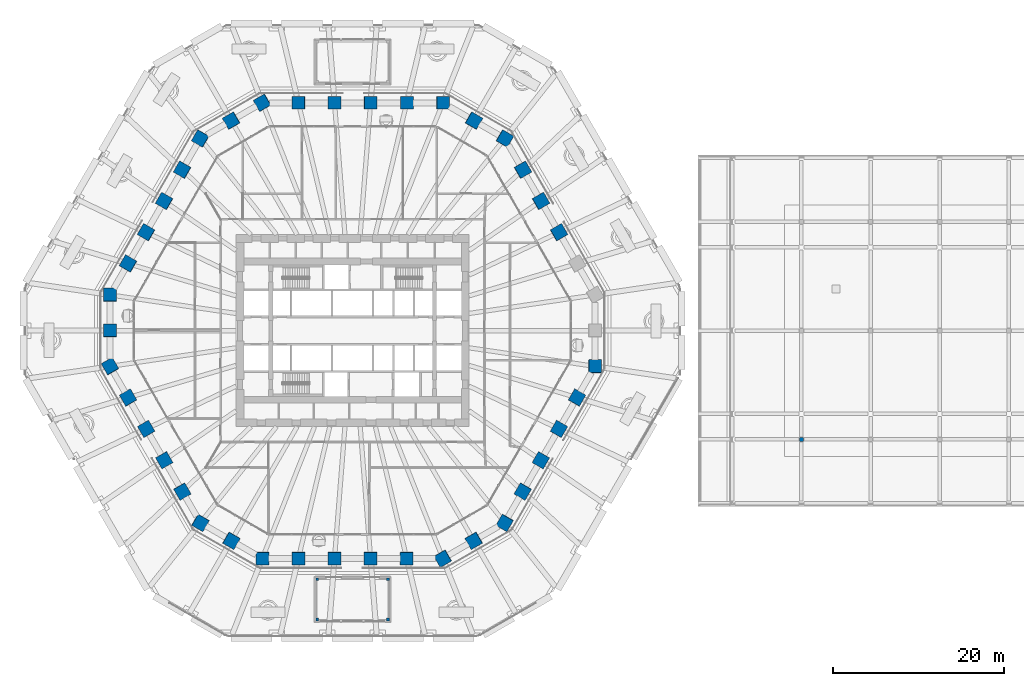
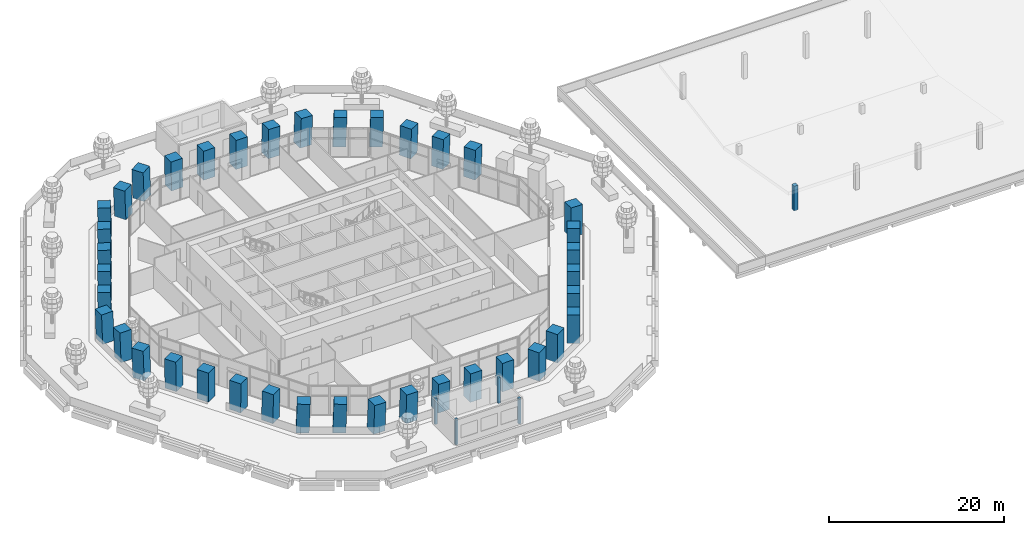
# One storey, part 1 of 32: 44 columns.
"""IFC4 building model written with IfcOpenShell, lengths in metres."""

from ifc_helpers import new_model, si_unit, direction, frame, origin, origin_2d, place, context, subcontext, project, spatial, rectangle, extrude, material, material_profile, profile_set, type_object, element, save


model = new_model("IFC4")

# Units and contexts
model_context = context("Model", 3, precision=1e-05, world=origin(), true_north=direction((0.0, 1.0)))
body_context = subcontext(model_context, "Body", "Model", "MODEL_VIEW")
ifc_project = project(units=[si_unit("LENGTHUNIT", "METRE"), si_unit("AREAUNIT", "SQUARE_METRE"), si_unit("VOLUMEUNIT", "CUBIC_METRE"), si_unit("PLANEANGLEUNIT", "RADIAN"), si_unit("MASSUNIT", "GRAM", prefix="KILO")], contexts=[model_context])

# Site, building, storey
site_placement = place(None, origin())
site = spatial("IfcSite", under=ifc_project, at=site_placement, CompositionType="ELEMENT")
building_placement = place(site_placement, origin())
building = spatial("IfcBuilding", under=site, at=building_placement, Name="Frailejon Research Tower", CompositionType="ELEMENT")
storey_placement = place(building_placement, frame((0.0, 0.0, 14.60009765625)))
storey = spatial("IfcBuildingStorey", under=building, at=storey_placement, Name="L03", CompositionType="ELEMENT", Elevation=14.60009765625)

# Columns
ifc_material_1 = material(Name="Concrete C70/85", Category="concrete")
ifc_material_profile_1 = material_profile(ifc_material_1, rectangle(XDim=1.5, YDim=1.5, at=origin_2d()), Name="Column 1500")
ifc_profile_set_1 = profile_set([ifc_material_profile_1], Name="Concrete C70/85")
column_type_1 = type_object("IfcColumnType", Name="Column 1500", PredefinedType="COLUMN", material=ifc_profile_set_1)
column_1_placement = place(storey_placement, frame((28.412841796875, -4.1875, 0.0), z_axis=(0.018133721723, 0.031387604711, 0.999342777233), x_axis=(-2.2310109e-05, 0.999507138094, -0.031392362166)))
element("IfcColumn", 1, at=column_1_placement, inside=storey, type_object=column_type_1, Name="Column C01", PredefinedType="COLUMN", context=body_context, shape_type="SweptSolid", body=[
    extrude(rectangle(XDim=1.5, YDim=1.5, at=origin_2d()), origin(), (0.0, 0.0, 1.0), 4.052490234375),
])
for number, where, z_axis, x_axis, name in (
    (2, (24.180908203125, 11.517578125, 0.0), (0.025367110012, 0.018859632859, 0.999500287133), (-0.500321532448, 0.865832038602, -0.003639381657), "Column C05"),
    (3, (22.06494140625, 15.1826171875, 0.0), (0.028982405875, 0.01253293227, 0.999501348553), (-0.499450490618, 0.866334870368, 0.003619365382), "Column C06"),
):
    element("IfcColumn", number, at=place(storey_placement, frame(where, z_axis=z_axis, x_axis=x_axis)), inside=storey, type_object=column_type_1, Name=name, PredefinedType="COLUMN", context=body_context, shape_type="SweptSolid", body=[
        extrude(rectangle(XDim=1.5, YDim=1.5, at=origin_2d()), origin(), (0.0, 0.0, 1.0), 4.0517578125),
    ])
column_2_placement = place(storey_placement, frame((19.948974609375, 18.847412109375, 0.0), z_axis=(0.032656153574, 0.006266125409, 0.99944700275), x_axis=(-0.499519802521, 0.866234012369, 0.010890486839)))
element("IfcColumn", 4, at=column_2_placement, inside=storey, type_object=column_type_1, Name="Column C07", PredefinedType="COLUMN", context=body_context, shape_type="SweptSolid", body=[
    extrude(rectangle(XDim=1.5, YDim=1.5, at=origin_2d()), origin(), (0.0, 0.0, 1.0), 4.052001953125),
])
for number, where, z_axis, x_axis, name in (
    (5, (17.8330078125, 22.512451171875, 0.0), (0.036267419622, 0.0, 0.999342120734), (-0.865313477853, 0.500246354177, 0.031403346616), "Column C08"),
    (6, (14.206298828125, 24.606201171875, 0.0), (0.036327585066, 0.0, 0.999339935439), (-0.865311585643, 0.500246354177, 0.031455442859), "Column C09"),
    (7, (10.579833984375, 26.699951171875, 0.0), (0.036267419622, 0.0, 0.999342120734), (-0.999342120734, 0.0, 0.036267419622), "Column C10"),
):
    element("IfcColumn", number, at=place(storey_placement, frame(where, z_axis=z_axis, x_axis=x_axis)), inside=storey, type_object=column_type_1, Name=name, PredefinedType="COLUMN", context=body_context, shape_type="SweptSolid", body=[
        extrude(rectangle(XDim=1.5, YDim=1.5, at=origin_2d()), origin(), (0.0, 0.0, 1.0), 4.052490234375),
    ])
column_3_placement = place(storey_placement, frame((6.347900390625, 26.699951171875, 0.0), z_axis=(0.021757568282, 0.0, 0.999763276092), x_axis=(-0.999763276092, 0.0, 0.021757568282)))
element("IfcColumn", 8, at=column_3_placement, inside=storey, type_object=column_type_1, Name="Column C11", PredefinedType="COLUMN", context=body_context, shape_type="SweptSolid", body=[
    extrude(rectangle(XDim=1.5, YDim=1.5, at=origin_2d()), origin(), (0.0, 0.0, 1.0), 4.05078125),
])
for number, where, z_axis, x_axis, name in (
    (9, (2.115966796875, 26.699951171875, 0.0), (0.007294235652, 0.0, 0.999973396709), (-0.999973396709, 0.0, 0.007294235652), "Column C12"),
    (10, (-2.115966796875, 26.699951171875, 0.0), (-0.007294235652, 0.0, 0.999973396709), (-0.999973396709, 0.0, -0.007294235652), "Column C13"),
):
    element("IfcColumn", number, at=place(storey_placement, frame(where, z_axis=z_axis, x_axis=x_axis)), inside=storey, type_object=column_type_1, Name=name, PredefinedType="COLUMN", context=body_context, shape_type="SweptSolid", body=[
        extrude(rectangle(XDim=1.5, YDim=1.5, at=origin_2d()), origin(), (0.0, 0.0, 1.0), 4.0498046875),
    ])
column_4_placement = place(storey_placement, frame((-6.347900390625, 26.699951171875, 0.0), z_axis=(-0.021757568282, 0.0, 0.999763276092), x_axis=(-0.999763276092, 0.0, -0.021757568282)))
element("IfcColumn", 11, at=column_4_placement, inside=storey, type_object=column_type_1, Name="Column C14", PredefinedType="COLUMN", context=body_context, shape_type="SweptSolid", body=[
    extrude(rectangle(XDim=1.5, YDim=1.5, at=origin_2d()), origin(), (0.0, 0.0, 1.0), 4.05078125),
])
for number, where, z_axis, x_axis, name in (
    (12, (-10.579833984375, 26.699951171875, 0.0), (-0.036267419622, 0.0, 0.999342120734), (-0.865313477853, -0.500246354177, -0.031403346616), "Column C15"),
    (13, (-14.206298828125, 24.606201171875, 0.0), (-0.036327585066, 0.0, 0.999339935439), (-0.865311585643, -0.500246354177, -0.031455442859), "Column C16"),
    (14, (-17.8330078125, 22.512451171875, 0.0), (-0.036267419622, 0.0, 0.999342120734), (-0.499424827821, -0.866167613071, -0.018124773713), "Column C17"),
):
    element("IfcColumn", number, at=place(storey_placement, frame(where, z_axis=z_axis, x_axis=x_axis)), inside=storey, type_object=column_type_1, Name=name, PredefinedType="COLUMN", context=body_context, shape_type="SweptSolid", body=[
        extrude(rectangle(XDim=1.5, YDim=1.5, at=origin_2d()), origin(), (0.0, 0.0, 1.0), 4.052490234375),
    ])
column_5_placement = place(storey_placement, frame((-19.948974609375, 18.847412109375, 0.0), z_axis=(-0.032656153574, 0.006266125409, 0.99944700275), x_axis=(-0.499519802521, -0.866234012369, -0.010890486839)))
element("IfcColumn", 15, at=column_5_placement, inside=storey, type_object=column_type_1, Name="Column C18", PredefinedType="COLUMN", context=body_context, shape_type="SweptSolid", body=[
    extrude(rectangle(XDim=1.5, YDim=1.5, at=origin_2d()), origin(), (0.0, 0.0, 1.0), 4.052001953125),
])
for number, where, z_axis, x_axis, name in (
    (16, (-22.06494140625, 15.1826171875, 0.0), (-0.028982405875, 0.01253293227, 0.999501348553), (-0.499450490618, -0.866334870368, -0.003619365382), "Column C19"),
    (17, (-24.180908203125, 11.517578125, 0.0), (-0.025367110012, 0.018859632859, 0.999500287133), (-0.500321532448, -0.865832038602, 0.003639381657), "Column C20"),
):
    element("IfcColumn", number, at=place(storey_placement, frame(where, z_axis=z_axis, x_axis=x_axis)), inside=storey, type_object=column_type_1, Name=name, PredefinedType="COLUMN", context=body_context, shape_type="SweptSolid", body=[
        extrude(rectangle(XDim=1.5, YDim=1.5, at=origin_2d()), origin(), (0.0, 0.0, 1.0), 4.0517578125),
    ])
column_6_placement = place(storey_placement, frame((-26.296875, 7.8525390625, 0.0), z_axis=(-0.021750699922, 0.025124769716, 0.999447673968), x_axis=(-0.500115634806, -0.865890237028, 0.010883438912)))
element("IfcColumn", 18, at=column_6_placement, inside=storey, type_object=column_type_1, Name="Column C21", PredefinedType="COLUMN", context=body_context, shape_type="SweptSolid", body=[
    extrude(rectangle(XDim=1.5, YDim=1.5, at=origin_2d()), origin(), (0.0, 0.0, 1.0), 4.052001953125),
])
for number, where, z_axis, x_axis, name in (
    (19, (-28.412841796875, 4.1875, 0.0), (-0.018133721723, 0.031387604711, 0.999342777233), (-0.000336417711, -0.999507260604, 0.031386666328), "Column C22"),
    (20, (-28.412841796875, 0.0, 0.0), (-0.018133721723, 0.031387604711, 0.999342777233), (-2.2310109e-05, -0.999507138094, 0.031392362166), "Column C23"),
    (21, (-28.412841796875, -4.1875, 0.0), (-0.018133721723, 0.031387604711, 0.999342777233), (0.500144780873, -0.865182746395, 0.036249324205), "Column C24"),
):
    element("IfcColumn", number, at=place(storey_placement, frame(where, z_axis=z_axis, x_axis=x_axis)), inside=storey, type_object=column_type_1, Name=name, PredefinedType="COLUMN", context=body_context, shape_type="SweptSolid", body=[
        extrude(rectangle(XDim=1.5, YDim=1.5, at=origin_2d()), origin(), (0.0, 0.0, 1.0), 4.052490234375),
    ])
column_7_placement = place(storey_placement, frame((-26.296875, -7.8525390625, 0.0), z_axis=(-0.010848648059, 0.01886459357, 0.999763188933), x_axis=(0.498110041874, -0.866840712117, 0.021761571644)))
element("IfcColumn", 22, at=column_7_placement, inside=storey, type_object=column_type_1, Name="Column C25", PredefinedType="COLUMN", context=body_context, shape_type="SweptSolid", body=[
    extrude(rectangle(XDim=1.5, YDim=1.5, at=origin_2d()), origin(), (0.0, 0.0, 1.0), 4.05078125),
])
for number, where, z_axis, x_axis, name in (
    (23, (-24.180908203125, -11.517578125, 0.0), (-0.003616977835, 0.006269428248, 0.999973805527), (0.50053003501, -0.865688914011, 0.007237970169), "Column C26"),
    (24, (-22.06494140625, -15.1826171875, 0.0), (0.003616977835, -0.006269428248, 0.999973805527), (0.498177151135, -0.867045061108, -0.007237962107), "Column C27"),
):
    element("IfcColumn", number, at=place(storey_placement, frame(where, z_axis=z_axis, x_axis=x_axis)), inside=storey, type_object=column_type_1, Name=name, PredefinedType="COLUMN", context=body_context, shape_type="SweptSolid", body=[
        extrude(rectangle(XDim=1.5, YDim=1.5, at=origin_2d()), origin(), (0.0, 0.0, 1.0), 4.0498046875),
    ])
column_8_placement = place(storey_placement, frame((-19.948974609375, -18.847412109375, 0.0), z_axis=(0.010908911174, -0.018864581201, 0.999762533421), x_axis=(0.500186584964, -0.865643404359, -0.021791666111)))
element("IfcColumn", 25, at=column_8_placement, inside=storey, type_object=column_type_1, Name="Column C28", PredefinedType="COLUMN", context=body_context, shape_type="SweptSolid", body=[
    extrude(rectangle(XDim=1.5, YDim=1.5, at=origin_2d()), origin(), (0.0, 0.0, 1.0), 4.05078125),
])
for number, where, z_axis, x_axis, name in (
    (26, (-17.8330078125, -22.512451171875, 0.0), (0.018133721723, -0.031387604711, 0.999342777233), (0.866156161144, -0.49878714117, -0.031382994035), "Column C29"),
    (27, (-14.206298828125, -24.606201171875, 0.0), (0.018133721723, -0.031387604711, 0.999342777233), (0.866156161144, -0.49878714117, -0.031382994035), "Column C30"),
    (28, (-10.579833984375, -26.699951171875, 0.0), (0.018133687401, -0.03144779011, 0.999340885723), (0.999835229363, -0.000256112694, -0.018150717076), "Column C31"),
):
    element("IfcColumn", number, at=place(storey_placement, frame(where, z_axis=z_axis, x_axis=x_axis)), inside=storey, type_object=column_type_1, Name=name, PredefinedType="COLUMN", context=body_context, shape_type="SweptSolid", body=[
        extrude(rectangle(XDim=1.5, YDim=1.5, at=origin_2d()), origin(), (0.0, 0.0, 1.0), 4.052490234375),
    ])
column_9_placement = place(storey_placement, frame((-6.347900390625, -26.699951171875, 0.0), z_axis=(0.010905455097, -0.031451091494, 0.999445796376), x_axis=(0.999940472125, 0.000693933994, -0.010889015669)))
element("IfcColumn", 29, at=column_9_placement, inside=storey, type_object=column_type_1, Name="Column C32", PredefinedType="COLUMN", context=body_context, shape_type="SweptSolid", body=[
    extrude(rectangle(XDim=1.5, YDim=1.5, at=origin_2d()), origin(), (0.0, 0.0, 1.0), 4.052001953125),
])
for number, where, z_axis, x_axis, name in (
    (30, (-2.115966796875, -26.699951171875, 0.0), (0.003615259349, -0.031452756336, 0.999498701359), (0.999993192253, -0.000624405726, -0.00363669709), "Column C33"),
    (31, (2.115966796875, -26.699951171875, 0.0), (-0.003615259349, -0.031452756336, 0.999498701359), (0.999993192253, 0.000624405726, 0.00363669709), "Column C34"),
):
    element("IfcColumn", number, at=place(storey_placement, frame(where, z_axis=z_axis, x_axis=x_axis)), inside=storey, type_object=column_type_1, Name=name, PredefinedType="COLUMN", context=body_context, shape_type="SweptSolid", body=[
        extrude(rectangle(XDim=1.5, YDim=1.5, at=origin_2d()), origin(), (0.0, 0.0, 1.0), 4.0517578125),
    ])
column_10_placement = place(storey_placement, frame((6.347900390625, -26.699951171875, 0.0), z_axis=(-0.010905455097, -0.031451091494, 0.999445796376), x_axis=(0.999940472125, -0.000693933994, 0.010889015669)))
element("IfcColumn", 32, at=column_10_placement, inside=storey, type_object=column_type_1, Name="Column C35", PredefinedType="COLUMN", context=body_context, shape_type="SweptSolid", body=[
    extrude(rectangle(XDim=1.5, YDim=1.5, at=origin_2d()), origin(), (0.0, 0.0, 1.0), 4.052001953125),
])
for number, where, z_axis, x_axis, name in (
    (33, (10.579833984375, -26.699951171875, 0.0), (-0.018133687401, -0.03144779011, 0.999340885723), (0.865469336314, 0.499974481658, 0.03143796417), "Column C36"),
    (34, (14.206298828125, -24.606201171875, 0.0), (-0.018133721723, -0.031387604711, 0.999342777233), (0.866156161144, 0.49878714117, 0.031382994035), "Column C37"),
    (35, (17.8330078125, -22.512451171875, 0.0), (-0.018133721723, -0.031387604711, 0.999342777233), (0.500144780873, 0.865182746395, 0.036249324205), "Column C38"),
):
    element("IfcColumn", number, at=place(storey_placement, frame(where, z_axis=z_axis, x_axis=x_axis)), inside=storey, type_object=column_type_1, Name=name, PredefinedType="COLUMN", context=body_context, shape_type="SweptSolid", body=[
        extrude(rectangle(XDim=1.5, YDim=1.5, at=origin_2d()), origin(), (0.0, 0.0, 1.0), 4.052490234375),
    ])
column_11_placement = place(storey_placement, frame((19.948974609375, -18.847412109375, 0.0), z_axis=(-0.010908911174, -0.018864581201, 0.999762533421), x_axis=(0.500186584964, 0.865643404359, 0.021791666111)))
element("IfcColumn", 36, at=column_11_placement, inside=storey, type_object=column_type_1, Name="Column C39", PredefinedType="COLUMN", context=body_context, shape_type="SweptSolid", body=[
    extrude(rectangle(XDim=1.5, YDim=1.5, at=origin_2d()), origin(), (0.0, 0.0, 1.0), 4.05078125),
])
for number, where, z_axis, x_axis, name in (
    (37, (22.06494140625, -15.1826171875, 0.0), (-0.003616977835, -0.006269428248, 0.999973805527), (0.498177151135, 0.867045061108, 0.007237962107), "Column C40"),
    (38, (24.180908203125, -11.517578125, 0.0), (0.003616977835, 0.006269428248, 0.999973805527), (0.50053003501, 0.865688914011, -0.007237970169), "Column C41"),
):
    element("IfcColumn", number, at=place(storey_placement, frame(where, z_axis=z_axis, x_axis=x_axis)), inside=storey, type_object=column_type_1, Name=name, PredefinedType="COLUMN", context=body_context, shape_type="SweptSolid", body=[
        extrude(rectangle(XDim=1.5, YDim=1.5, at=origin_2d()), origin(), (0.0, 0.0, 1.0), 4.0498046875),
    ])
column_12_placement = place(storey_placement, frame((26.296875, -7.8525390625, 0.0), z_axis=(0.010848648059, 0.01886459357, 0.999763188933), x_axis=(0.498110041874, 0.866840712117, -0.021761571644)))
element("IfcColumn", 39, at=column_12_placement, inside=storey, type_object=column_type_1, Name="Column C42", PredefinedType="COLUMN", context=body_context, shape_type="SweptSolid", body=[
    extrude(rectangle(XDim=1.5, YDim=1.5, at=origin_2d()), origin(), (0.0, 0.0, 1.0), 4.05078125),
])
ifc_material_2 = material(Name="Concrete C35/45", Category="concrete")
ifc_material_profile_2 = material_profile(ifc_material_2, rectangle(XDim=0.5, YDim=0.5, at=origin_2d()), Name="HC umbrella column 500x500")
ifc_profile_set_2 = profile_set([ifc_material_profile_2], Name="Concrete C35/45")
column_type_2 = type_object("IfcColumnType", Name="HC umbrella column 500x500", PredefinedType="COLUMN", material=ifc_profile_set_2)
column_13_placement = place(storey_placement, frame((52.60009765625, -12.75, 0.0), z_axis=(0.0, 0.0, 1.0), x_axis=(1.0, 0.0, 0.0)))
element("IfcColumn", 40, at=column_13_placement, inside=storey, type_object=column_type_2, Name="HC umbrella column B2", PredefinedType="COLUMN", context=body_context, shape_type="SweptSolid", body=[
    extrude(rectangle(XDim=0.5, YDim=0.5, at=origin_2d()), origin(), (0.0, 0.0, 1.0), 3.4541015625),
])
ifc_material_3 = material(Name="Concrete C40/50", Category="concrete")
ifc_material_profile_3 = material_profile(ifc_material_3, rectangle(XDim=0.300048828125, YDim=0.300048828125, at=origin_2d()), Name="Pavilion post 300")
ifc_profile_set_3 = profile_set([ifc_material_profile_3], Name="Concrete C40/50")
column_type_3 = type_object("IfcColumnType", Name="Pavilion post 300", PredefinedType="COLUMN", material=ifc_profile_set_3)
for number, where, z_axis, x_axis, name in (
    (41, (-4.14990234375, -29.14990234375, 0.0), (0.0, 0.0, 1.0), (1.0, 0.0, 0.0), "Column CP"),
    (42, (4.14990234375, -29.14990234375, 0.0), (0.0, 0.0, 1.0), (1.0, 0.0, 0.0), "Column CP"),
    (43, (4.14990234375, -33.85009765625, 0.0), (0.0, 0.0, 1.0), (1.0, 0.0, 0.0), "Column CP"),
    (44, (-4.14990234375, -33.85009765625, 0.0), (0.0, 0.0, 1.0), (1.0, 0.0, 0.0), "Column CP"),
):
    element("IfcColumn", number, at=place(storey_placement, frame(where, z_axis=z_axis, x_axis=x_axis)), inside=storey, type_object=column_type_3, Name=name, PredefinedType="COLUMN", context=body_context, shape_type="SweptSolid", body=[
        extrude(rectangle(XDim=0.300048828125, YDim=0.300048828125, at=origin_2d()), origin(), (0.0, 0.0, 1.0), 3.599853515625),
    ])

save(model, "model.ifc")
